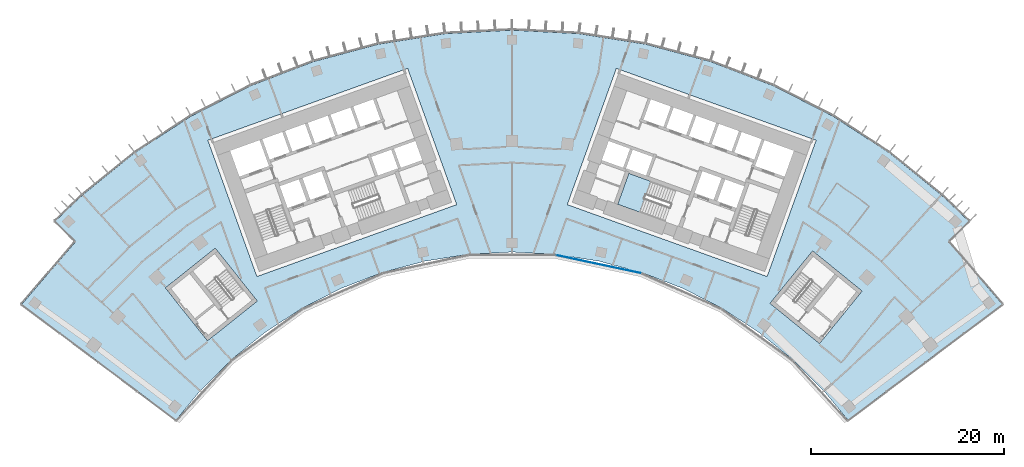
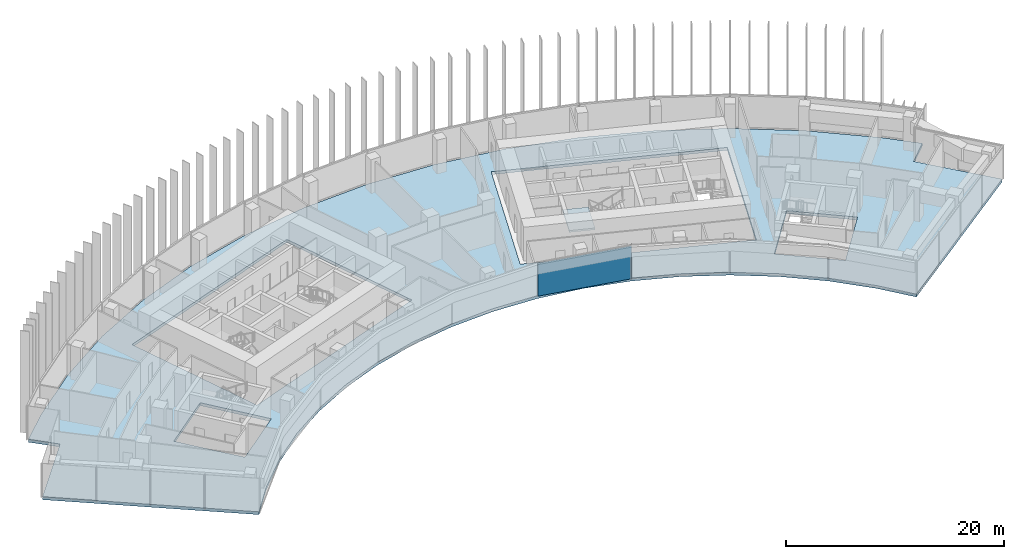
# One storey, part 13 of 22: 2 slabs, 1 plate, 2 elements without a shape of their own.
"""IFC4 building model written with IfcOpenShell, lengths in metres."""

from ifc_helpers import new_model, si_unit, direction, frame, origin, origin_2d, place, context, subcontext, project, spatial, polyline, rectangle, outline, extrude, material, layer, layer_set, type_object, element, aggregate, save


model = new_model("IFC4")

# Units and contexts
model_context = context("Model", 3, precision=1e-05, world=origin(), true_north=direction((0.0, 1.0)))
body_context = subcontext(model_context, "Body", "Model", "MODEL_VIEW")
ifc_project = project(units=[si_unit("LENGTHUNIT", "METRE"), si_unit("AREAUNIT", "SQUARE_METRE"), si_unit("VOLUMEUNIT", "CUBIC_METRE"), si_unit("PLANEANGLEUNIT", "RADIAN"), si_unit("MASSUNIT", "GRAM", prefix="KILO")], contexts=[model_context])

# Site, building, storey
site_placement = place(None, origin())
site = spatial("IfcSite", under=ifc_project, at=site_placement, CompositionType="ELEMENT")
building_placement = place(site_placement, origin())
building = spatial("IfcBuilding", under=site, at=building_placement, Name="Stone Belt Terrace Tower", CompositionType="ELEMENT")
storey_placement = place(building_placement, frame((0.0, 0.0, 155.39990234375)))
storey = spatial("IfcBuildingStorey", under=building, at=storey_placement, Name="L37", CompositionType="ELEMENT", Elevation=155.39990234375)

# Curtain wall, plate
ifc_material_1 = material(Name="Aluminium 6063-T6 anodised frame", Category="aluminium")
ifc_layer_1 = layer(ifc_material_1, 0.14990234375)
ifc_layer_set_1 = layer_set([ifc_layer_1], Name="CW-B unitised concave-face curtain wall")
curtain_wall_type = type_object("IfcCurtainWallType", Name="CW-B unitised concave-face curtain wall", PredefinedType="NOTDEFINED", material=ifc_layer_set_1)
curtain_wall_placement = place(storey_placement, origin())
curtain_wall = element("IfcCurtainWall", 1, at=curtain_wall_placement, inside=storey, type_object=curtain_wall_type, Name="CW-B concave face L37", PredefinedType="NOTDEFINED")
ifc_material_2 = material(Name="Clear double glazed unit")
ifc_layer_2 = layer(ifc_material_2, 0.030029296875)
ifc_layer_set_2 = layer_set([ifc_layer_2], Name="CW-B glass panel 30")
plate_type = type_object("IfcPlateType", Name="CW-B glass panel 30", PredefinedType="CURTAIN_PANEL", material=ifc_layer_set_2)
plate_placement = place(storey_placement, frame((8.97900390625, 42.242919921875, 0.0), z_axis=(0.0, 0.0, 1.0), x_axis=(0.978147600734, -0.207911690818, 0.0)))
plate = element("IfcPlate", 2, at=plate_placement, type_object=plate_type, Name="CW-B panel 6.1", PredefinedType="CURTAIN_PANEL", context=body_context, shape_type="SweptSolid", body=[
    extrude(rectangle(XDim=9.0126953125, YDim=0.030029296875, at=origin_2d()), origin(), (0.0, 0.0, 1.0), 3.679931640625),
])
aggregate(curtain_wall, [plate])

# Slab
ifc_material_3 = material(Name="Concrete B40", Category="concrete")
ifc_layer_3 = layer(ifc_material_3, 0.320068359375)
ifc_layer_set_3 = layer_set([ifc_layer_3], Name="Floor slab 320 B40")
slab_type_1 = type_object("IfcSlabType", Name="Floor slab 320 B40", PredefinedType="FLOOR", material=ifc_layer_set_3)
slab_1_placement = place(storey_placement, frame((0.0, 0.0, -0.31982421875)))
element("IfcSlab", 3, at=slab_1_placement, inside=storey, type_object=slab_type_1, Name="Floor slab L37", PredefinedType="FLOOR", context=body_context, shape_type="SweptSolid", body=[
    extrude(outline(polyline([(-44.497314453125, 49.419189453125), (-39.087646484375, 53.799560546875), (-33.25, 57.5908203125), (-27.048095703125, 60.750732421875), (-20.549560546875, 63.245361328125), (-13.826171875, 65.046875), (-6.951171875, 66.1357421875), (0.0, 66.5), (6.951171875, 66.1357421875), (13.826171875, 65.046875), (20.549560546875, 63.245361328125), (27.048095703125, 60.750732421875), (33.25, 57.5908203125), (39.087646484375, 53.799560546875), (44.497314453125, 49.419189453125), (47.328857421875, 46.714111328125), (45.19384765625, 44.606689453125), (50.799072265625, 38.10107421875), (34.79931640625, 26.100830078125), (32.326904296875, 29.107177734375), (29.107177734375, 32.326904296875), (25.568603515625, 35.192138671875), (21.75, 37.672119140625), (17.693115234375, 39.7392578125), (13.442138671875, 41.37109375), (9.044189453125, 42.54931640625), (4.547119140625, 43.26171875), (0.0, 43.5), (-4.547119140625, 43.26171875), (-9.044189453125, 42.54931640625), (-13.442138671875, 41.37109375), (-17.693115234375, 39.7392578125), (-21.75, 37.672119140625), (-25.568603515625, 35.192138671875), (-29.107177734375, 32.326904296875), (-32.326904296875, 29.107177734375), (-34.79931640625, 26.100830078125), (-50.799072265625, 38.10107421875), (-45.19384765625, 44.606689453125), (-47.328857421875, 46.714111328125), (-44.497314453125, 49.419189453125)]), holes=[polyline([(-26.434814453125, 40.968994140625), (-5.734619140625, 48.418701171875), (-10.81396484375, 62.532470703125), (-31.51416015625, 55.082763671875), (-26.434814453125, 40.968994140625)]), polyline([(10.81396484375, 62.532470703125), (5.734619140625, 48.418701171875), (26.434814453125, 40.968994140625), (31.51416015625, 55.082763671875), (10.81396484375, 62.532470703125)]), polyline([(-35.91796875, 39.787353515625), (-31.55615234375, 34.3125), (-26.39404296875, 38.425048828125), (-30.756103515625, 43.89990234375), (-35.91796875, 39.787353515625)]), polyline([(36.2783203125, 39.459228515625), (31.15380859375, 43.61865234375), (26.742431640625, 38.18359375), (31.86669921875, 34.024169921875), (36.2783203125, 39.459228515625)])]), origin(), (0.0, 0.0, 1.0), 0.31982421875),
])

# Stair, slab
stair_type = type_object("IfcStairType", Name="Exit stair 1500", PredefinedType="HALF_TURN_STAIR", material=ifc_material_3)
stair_placement = place(storey_placement, origin())
stair = element("IfcStair", 4, at=stair_placement, inside=storey, type_object=stair_type, Name="L37 Exit stair 2 core B", PredefinedType="HALF_TURN_STAIR")
ifc_layer_4 = layer(ifc_material_3, 0.199951171875)
ifc_layer_set_4 = layer_set([ifc_layer_4], Name="Stair landing 200")
slab_type_2 = type_object("IfcSlabType", Name="Stair landing 200", PredefinedType="LANDING", material=ifc_layer_set_4)
slab_2_placement = place(storey_placement, frame((0.0, 0.0, 1.7001953125)))
slab_2 = element("IfcSlab", 5, at=slab_2_placement, type_object=slab_type_2, Name="ST2B landing 1", PredefinedType="LANDING", context=body_context, shape_type="SweptSolid", body=[
    extrude(outline(polyline([(14.36474609375, 50.839111328125), (12.10595703125, 51.652099609375), (10.95458984375, 48.453125), (13.213623046875, 47.64013671875), (14.36474609375, 50.839111328125)])), origin(), (0.0, 0.0, 1.0), 0.199951171875),
])
aggregate(stair, [slab_2])

save(model, "model.ifc")
